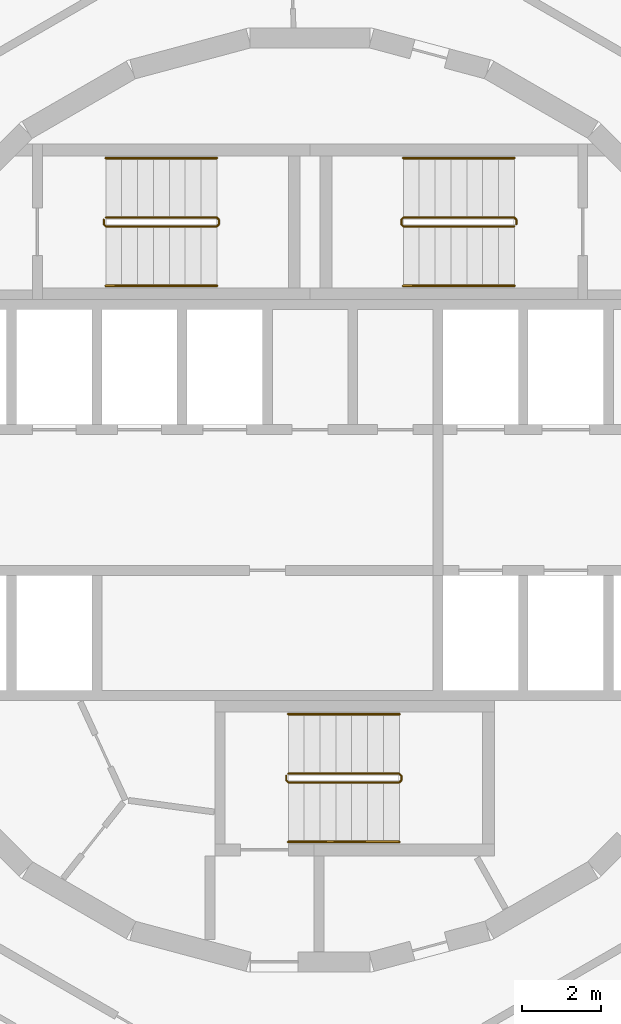
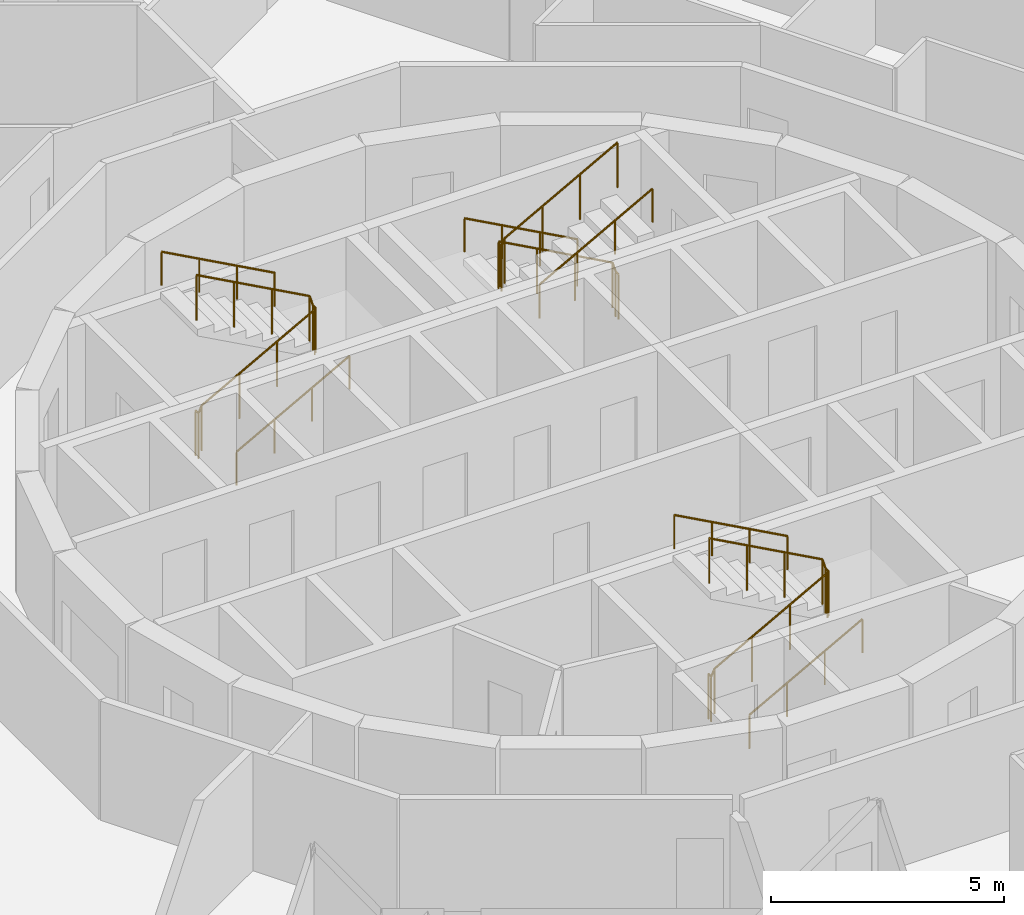
# One storey, part 21 of 21: 9 railings.
"""IFC4 building model written with IfcOpenShell, lengths in metres."""

from ifc_helpers import new_model, si_unit, direction, frame, origin, origin_2d, place, context, subcontext, project, spatial, circle, extrude, material, type_object, element, save


model = new_model("IFC4")

# Units and contexts
model_context = context("Model", 3, precision=1e-05, world=origin(), true_north=direction((0.0, 1.0)))
body_context = subcontext(model_context, "Body", "Model", "MODEL_VIEW")
ifc_project = project(units=[si_unit("LENGTHUNIT", "METRE"), si_unit("AREAUNIT", "SQUARE_METRE"), si_unit("VOLUMEUNIT", "CUBIC_METRE"), si_unit("PLANEANGLEUNIT", "RADIAN"), si_unit("MASSUNIT", "GRAM", prefix="KILO")], contexts=[model_context])

# Site, building, storey
site_placement = place(None, origin())
site = spatial("IfcSite", under=ifc_project, at=site_placement, CompositionType="ELEMENT")
building_placement = place(site_placement, origin())
building = spatial("IfcBuilding", under=site, at=building_placement, Name="Spindle Arch Residences", CompositionType="ELEMENT")
storey_placement = place(building_placement, frame((0.0, 0.0, 38.39990234375)))
storey = spatial("IfcBuildingStorey", under=building, at=storey_placement, Name="L07", CompositionType="ELEMENT", Elevation=38.39990234375)

# Railings
ifc_material_1 = material(Name="Steel, painted", Category="steel")
railing_type_1 = type_object("IfcRailingType", Name="Stair guard 1100", PredefinedType="GUARDRAIL", material=ifc_material_1)
railing_1_placement = place(storey_placement, frame((5.14990234375, 6.89990234375, 3.5)))
element("IfcRailing", 1, at=railing_1_placement, inside=storey, type_object=railing_type_1, Name="L07 ST1 stair guard 1", PredefinedType="GUARDRAIL", context=body_context, shape_type="SweptSolid", body=[
    extrude(circle(Radius=0.02392578125, at=origin_2d()), frame((0.0, 0.0, 1.17578125), z_axis=(-0.877357048833, 0.0, -0.479838106931), x_axis=(0.0, -1.0, 0.0)), (0.0, 0.0, 1.0), 3.191162109375),
    extrude(circle(Radius=0.02392578125, at=origin_2d()), frame((-2.7998046875, 0.0, -0.35546875), z_axis=(-0.217683172539, 0.217683172539, -0.951434744366), x_axis=(-0.707106781187, -0.707106781187, 0.0)), (0.0, 0.0, 1.0), 0.22998046875),
    extrude(circle(Radius=0.02392578125, at=origin_2d()), frame((-2.849853515625, 0.050048828125, -0.57421875), z_axis=(0.0, 1.0, 0.0), x_axis=(-1.0, 0.0, 0.0)), (0.0, 0.0, 1.0), 0.1201171875),
    extrude(circle(Radius=0.02392578125, at=origin_2d()), frame((-2.849853515625, 0.170166015625, -0.57421875), z_axis=(0.707106781187, 0.707106781187, 0.0), x_axis=(-0.707106781187, 0.707106781187, 0.0)), (0.0, 0.0, 1.0), 0.07080078125),
    extrude(circle(Radius=0.02392578125, at=origin_2d()), frame((-2.7998046875, 0.22021484375, -0.57421875), z_axis=(0.877357048833, 0.0, -0.479838106931), x_axis=(0.0, 1.0, 0.0)), (0.0, 0.0, 1.0), 3.191162109375),
    extrude(circle(Radius=0.02392578125, at=origin_2d()), frame((0.0, 0.22021484375, -2.10546875), z_axis=(0.217683172539, -0.217683172539, -0.951434744366), x_axis=(0.707106781187, 0.707106781187, 0.0)), (0.0, 0.0, 1.0), 0.22998046875),
    extrude(circle(Radius=0.02392578125, at=origin_2d()), frame((0.050048828125, 0.170166015625, -2.32421875), z_axis=(0.0, -1.0, 0.0), x_axis=(1.0, 0.0, 0.0)), (0.0, 0.0, 1.0), 0.1201171875),
    extrude(circle(Radius=0.02099609375, at=origin_2d()), origin(), (0.0, 0.0, 1.0), 1.15185546875),
    extrude(circle(Radius=0.02099609375, at=origin_2d()), frame((-0.933349609375, 0.0, -0.510498046875)), (0.0, 0.0, 1.0), 1.15185546875),
    extrude(circle(Radius=0.02099609375, at=origin_2d()), frame((-1.866455078125, 0.0, -1.020751953125)), (0.0, 0.0, 1.0), 1.15185546875),
    extrude(circle(Radius=0.02099609375, at=origin_2d()), frame((-2.7998046875, 0.0, -1.53125)), (0.0, 0.0, 1.0), 1.15185546875),
    extrude(circle(Radius=0.02099609375, at=origin_2d()), frame((-2.849853515625, 0.050048828125, -1.75)), (0.0, 0.0, 1.0), 1.15185546875),
    extrude(circle(Radius=0.02099609375, at=origin_2d()), frame((-2.849853515625, 0.170166015625, -1.75)), (0.0, 0.0, 1.0), 1.15185546875),
    extrude(circle(Radius=0.02099609375, at=origin_2d()), frame((-2.7998046875, 0.22021484375, -1.75)), (0.0, 0.0, 1.0), 1.15185546875),
    extrude(circle(Radius=0.02099609375, at=origin_2d()), frame((-1.866455078125, 0.22021484375, -2.260498046875)), (0.0, 0.0, 1.0), 1.15185546875),
    extrude(circle(Radius=0.02099609375, at=origin_2d()), frame((-0.933349609375, 0.22021484375, -2.770751953125)), (0.0, 0.0, 1.0), 1.15185546875),
    extrude(circle(Radius=0.02099609375, at=origin_2d()), frame((0.0, 0.22021484375, -3.28125)), (0.0, 0.0, 1.0), 1.15185546875),
    extrude(circle(Radius=0.02099609375, at=origin_2d()), frame((0.050048828125, 0.170166015625, -3.5)), (0.0, 0.0, 1.0), 1.15185546875),
    extrude(circle(Radius=0.02099609375, at=origin_2d()), frame((0.050048828125, 0.050048828125, -3.5)), (0.0, 0.0, 1.0), 1.15185546875),
])
railing_2_placement = place(storey_placement, frame((-5.14990234375, 7.1201171875, 3.5)))
element("IfcRailing", 2, at=railing_2_placement, inside=storey, type_object=railing_type_1, Name="L07 ST2 stair guard 1", PredefinedType="GUARDRAIL", context=body_context, shape_type="SweptSolid", body=[
    extrude(circle(Radius=0.02392578125, at=origin_2d()), frame((0.0, 0.0, 1.17578125), z_axis=(0.877357048833, 0.0, -0.479838106931), x_axis=(0.0, 1.0, 0.0)), (0.0, 0.0, 1.0), 3.191162109375),
    extrude(circle(Radius=0.02392578125, at=origin_2d()), frame((2.7998046875, 0.0, -0.35546875), z_axis=(0.217683172539, -0.217683172539, -0.951434744366), x_axis=(0.707106781187, 0.707106781187, 0.0)), (0.0, 0.0, 1.0), 0.22998046875),
    extrude(circle(Radius=0.02392578125, at=origin_2d()), frame((2.849853515625, -0.050048828125, -0.57421875), z_axis=(0.0, -1.0, 0.0), x_axis=(1.0, 0.0, 0.0)), (0.0, 0.0, 1.0), 0.1201171875),
    extrude(circle(Radius=0.02392578125, at=origin_2d()), frame((2.849853515625, -0.170166015625, -0.57421875), z_axis=(-0.707106781187, -0.707106781187, 0.0), x_axis=(0.707106781187, -0.707106781187, 0.0)), (0.0, 0.0, 1.0), 0.07080078125),
    extrude(circle(Radius=0.02392578125, at=origin_2d()), frame((2.7998046875, -0.22021484375, -0.57421875), z_axis=(-0.877357048833, 0.0, -0.479838106931), x_axis=(0.0, -1.0, 0.0)), (0.0, 0.0, 1.0), 3.191162109375),
    extrude(circle(Radius=0.02392578125, at=origin_2d()), frame((0.0, -0.22021484375, -2.10546875), z_axis=(-0.217683172539, 0.217683172539, -0.951434744366), x_axis=(-0.707106781187, -0.707106781187, 0.0)), (0.0, 0.0, 1.0), 0.22998046875),
    extrude(circle(Radius=0.02392578125, at=origin_2d()), frame((-0.050048828125, -0.170166015625, -2.32421875), z_axis=(0.0, 1.0, 0.0), x_axis=(-1.0, 0.0, 0.0)), (0.0, 0.0, 1.0), 0.1201171875),
    extrude(circle(Radius=0.02099609375, at=origin_2d()), origin(), (0.0, 0.0, 1.0), 1.15185546875),
    extrude(circle(Radius=0.02099609375, at=origin_2d()), frame((0.933349609375, 0.0, -0.510498046875)), (0.0, 0.0, 1.0), 1.15185546875),
    extrude(circle(Radius=0.02099609375, at=origin_2d()), frame((1.866455078125, 0.0, -1.020751953125)), (0.0, 0.0, 1.0), 1.15185546875),
    extrude(circle(Radius=0.02099609375, at=origin_2d()), frame((2.7998046875, 0.0, -1.53125)), (0.0, 0.0, 1.0), 1.15185546875),
    extrude(circle(Radius=0.02099609375, at=origin_2d()), frame((2.849853515625, -0.050048828125, -1.75)), (0.0, 0.0, 1.0), 1.15185546875),
    extrude(circle(Radius=0.02099609375, at=origin_2d()), frame((2.849853515625, -0.170166015625, -1.75)), (0.0, 0.0, 1.0), 1.15185546875),
    extrude(circle(Radius=0.02099609375, at=origin_2d()), frame((2.7998046875, -0.22021484375, -1.75)), (0.0, 0.0, 1.0), 1.15185546875),
    extrude(circle(Radius=0.02099609375, at=origin_2d()), frame((1.866455078125, -0.22021484375, -2.260498046875)), (0.0, 0.0, 1.0), 1.15185546875),
    extrude(circle(Radius=0.02099609375, at=origin_2d()), frame((0.933349609375, -0.22021484375, -2.770751953125)), (0.0, 0.0, 1.0), 1.15185546875),
    extrude(circle(Radius=0.02099609375, at=origin_2d()), frame((0.0, -0.22021484375, -3.28125)), (0.0, 0.0, 1.0), 1.15185546875),
    extrude(circle(Radius=0.02099609375, at=origin_2d()), frame((-0.050048828125, -0.170166015625, -3.5)), (0.0, 0.0, 1.0), 1.15185546875),
    extrude(circle(Radius=0.02099609375, at=origin_2d()), frame((-0.050048828125, -0.050048828125, -3.5)), (0.0, 0.0, 1.0), 1.15185546875),
])
railing_3_placement = place(storey_placement, frame((-0.550048828125, -6.89990234375, 3.5)))
element("IfcRailing", 3, at=railing_3_placement, inside=storey, type_object=railing_type_1, Name="L07 ST3 stair guard 1", PredefinedType="GUARDRAIL", context=body_context, shape_type="SweptSolid", body=[
    extrude(circle(Radius=0.02392578125, at=origin_2d()), frame((0.0, 0.0, 1.17578125), z_axis=(0.877374661878, 0.0, -0.479805901063), x_axis=(0.0, 1.0, 0.0)), (0.0, 0.0, 1.0), 3.19140625),
    extrude(circle(Radius=0.02392578125, at=origin_2d()), frame((2.800048828125, 0.0, -0.35546875), z_axis=(0.217683172539, -0.217683172539, -0.951434744366), x_axis=(0.707106781187, 0.707106781187, 0.0)), (0.0, 0.0, 1.0), 0.22998046875),
    extrude(circle(Radius=0.02392578125, at=origin_2d()), frame((2.85009765625, -0.050048828125, -0.57421875), z_axis=(0.0, -1.0, 0.0), x_axis=(1.0, 0.0, 0.0)), (0.0, 0.0, 1.0), 0.1201171875),
    extrude(circle(Radius=0.02392578125, at=origin_2d()), frame((2.85009765625, -0.170166015625, -0.57421875), z_axis=(-0.707106781187, -0.707106781187, 0.0), x_axis=(0.707106781187, -0.707106781187, 0.0)), (0.0, 0.0, 1.0), 0.07080078125),
    extrude(circle(Radius=0.02392578125, at=origin_2d()), frame((2.800048828125, -0.22021484375, -0.57421875), z_axis=(-0.877374661878, 0.0, -0.479805901063), x_axis=(0.0, -1.0, 0.0)), (0.0, 0.0, 1.0), 3.19140625),
    extrude(circle(Radius=0.02392578125, at=origin_2d()), frame((0.0, -0.22021484375, -2.10546875), z_axis=(-0.217683172539, 0.217683172539, -0.951434744366), x_axis=(-0.707106781187, -0.707106781187, 0.0)), (0.0, 0.0, 1.0), 0.22998046875),
    extrude(circle(Radius=0.02392578125, at=origin_2d()), frame((-0.050048828125, -0.170166015625, -2.32421875), z_axis=(0.0, 1.0, 0.0), x_axis=(-1.0, 0.0, 0.0)), (0.0, 0.0, 1.0), 0.1201171875),
    extrude(circle(Radius=0.02099609375, at=origin_2d()), origin(), (0.0, 0.0, 1.0), 1.15185546875),
    extrude(circle(Radius=0.02099609375, at=origin_2d()), frame((0.933349609375, 0.0, -0.510498046875)), (0.0, 0.0, 1.0), 1.15185546875),
    extrude(circle(Radius=0.02099609375, at=origin_2d()), frame((1.86669921875, 0.0, -1.020751953125)), (0.0, 0.0, 1.0), 1.15185546875),
    extrude(circle(Radius=0.02099609375, at=origin_2d()), frame((2.800048828125, 0.0, -1.53125)), (0.0, 0.0, 1.0), 1.15185546875),
    extrude(circle(Radius=0.02099609375, at=origin_2d()), frame((2.85009765625, -0.050048828125, -1.75)), (0.0, 0.0, 1.0), 1.15185546875),
    extrude(circle(Radius=0.02099609375, at=origin_2d()), frame((2.85009765625, -0.170166015625, -1.75)), (0.0, 0.0, 1.0), 1.15185546875),
    extrude(circle(Radius=0.02099609375, at=origin_2d()), frame((2.800048828125, -0.22021484375, -1.75)), (0.0, 0.0, 1.0), 1.15185546875),
    extrude(circle(Radius=0.02099609375, at=origin_2d()), frame((1.86669921875, -0.22021484375, -2.260498046875)), (0.0, 0.0, 1.0), 1.15185546875),
    extrude(circle(Radius=0.02099609375, at=origin_2d()), frame((0.933349609375, -0.22021484375, -2.770751953125)), (0.0, 0.0, 1.0), 1.15185546875),
    extrude(circle(Radius=0.02099609375, at=origin_2d()), frame((0.0, -0.22021484375, -3.28125)), (0.0, 0.0, 1.0), 1.15185546875),
    extrude(circle(Radius=0.02099609375, at=origin_2d()), frame((-0.050048828125, -0.170166015625, -3.5)), (0.0, 0.0, 1.0), 1.15185546875),
    extrude(circle(Radius=0.02099609375, at=origin_2d()), frame((-0.050048828125, -0.050048828125, -3.5)), (0.0, 0.0, 1.0), 1.15185546875),
])
ifc_material_2 = material(Name="Steel, painted", Category="steel")
railing_type_2 = type_object("IfcRailingType", Name="Stair handrail 900", PredefinedType="HANDRAIL", material=ifc_material_2)
railing_4_placement = place(storey_placement, frame((5.14990234375, 8.6201171875, 0.21875)))
element("IfcRailing", 4, at=railing_4_placement, inside=storey, type_object=railing_type_2, Name="L07 ST1 stair handrail 1", PredefinedType="HANDRAIL", context=body_context, shape_type="SweptSolid", body=[
    extrude(circle(Radius=0.02392578125, at=origin_2d()), frame((0.0, 0.0, 0.8759765625), z_axis=(-0.877357048833, 0.0, 0.479838106931), x_axis=(0.0, -1.0, 0.0)), (0.0, 0.0, 1.0), 3.191162109375),
    extrude(circle(Radius=0.02099609375, at=origin_2d()), origin(), (0.0, 0.0, 1.0), 0.851806640625),
    extrude(circle(Radius=0.02099609375, at=origin_2d()), frame((-0.933349609375, 0.0, 0.510498046875)), (0.0, 0.0, 1.0), 0.851806640625),
    extrude(circle(Radius=0.02099609375, at=origin_2d()), frame((-1.866455078125, 0.0, 1.020751953125)), (0.0, 0.0, 1.0), 0.851806640625),
    extrude(circle(Radius=0.02099609375, at=origin_2d()), frame((-2.7998046875, 0.0, 1.53125)), (0.0, 0.0, 1.0), 0.851806640625),
])
for number, where, name in (
    (5, (2.35009765625, 5.39990234375, 1.96875), "L07 ST1 stair handrail 2"),
    (6, (-5.14990234375, 5.39990234375, 0.21875), "L07 ST2 stair handrail 1"),
):
    element("IfcRailing", number, at=place(storey_placement, frame(where)), inside=storey, type_object=railing_type_2, Name=name, PredefinedType="HANDRAIL", context=body_context, shape_type="SweptSolid", body=[
        extrude(circle(Radius=0.02392578125, at=origin_2d()), frame((0.0, 0.0, 0.8759765625), z_axis=(0.877357048833, 0.0, 0.479838106931), x_axis=(0.0, 1.0, 0.0)), (0.0, 0.0, 1.0), 3.191162109375),
        extrude(circle(Radius=0.02099609375, at=origin_2d()), origin(), (0.0, 0.0, 1.0), 0.851806640625),
        extrude(circle(Radius=0.02099609375, at=origin_2d()), frame((0.933349609375, 0.0, 0.510498046875)), (0.0, 0.0, 1.0), 0.851806640625),
        extrude(circle(Radius=0.02099609375, at=origin_2d()), frame((1.866455078125, 0.0, 1.020751953125)), (0.0, 0.0, 1.0), 0.851806640625),
        extrude(circle(Radius=0.02099609375, at=origin_2d()), frame((2.7998046875, 0.0, 1.53125)), (0.0, 0.0, 1.0), 0.851806640625),
    ])
railing_5_placement = place(storey_placement, frame((-2.35009765625, 8.6201171875, 1.96875)))
element("IfcRailing", 7, at=railing_5_placement, inside=storey, type_object=railing_type_2, Name="L07 ST2 stair handrail 2", PredefinedType="HANDRAIL", context=body_context, shape_type="SweptSolid", body=[
    extrude(circle(Radius=0.02392578125, at=origin_2d()), frame((0.0, 0.0, 0.8759765625), z_axis=(-0.877357048833, 0.0, 0.479838106931), x_axis=(0.0, -1.0, 0.0)), (0.0, 0.0, 1.0), 3.191162109375),
    extrude(circle(Radius=0.02099609375, at=origin_2d()), origin(), (0.0, 0.0, 1.0), 0.851806640625),
    extrude(circle(Radius=0.02099609375, at=origin_2d()), frame((-0.933349609375, 0.0, 0.510498046875)), (0.0, 0.0, 1.0), 0.851806640625),
    extrude(circle(Radius=0.02099609375, at=origin_2d()), frame((-1.866455078125, 0.0, 1.020751953125)), (0.0, 0.0, 1.0), 0.851806640625),
    extrude(circle(Radius=0.02099609375, at=origin_2d()), frame((-2.7998046875, 0.0, 1.53125)), (0.0, 0.0, 1.0), 0.851806640625),
])
railing_6_placement = place(storey_placement, frame((-0.550048828125, -8.6201171875, 0.21875)))
element("IfcRailing", 8, at=railing_6_placement, inside=storey, type_object=railing_type_2, Name="L07 ST3 stair handrail 1", PredefinedType="HANDRAIL", context=body_context, shape_type="SweptSolid", body=[
    extrude(circle(Radius=0.02392578125, at=origin_2d()), frame((0.0, 0.0, 0.8759765625), z_axis=(0.877374661878, 0.0, 0.479805901063), x_axis=(0.0, 1.0, 0.0)), (0.0, 0.0, 1.0), 3.19140625),
    extrude(circle(Radius=0.02099609375, at=origin_2d()), origin(), (0.0, 0.0, 1.0), 0.851806640625),
    extrude(circle(Radius=0.02099609375, at=origin_2d()), frame((0.933349609375, 0.0, 0.510498046875)), (0.0, 0.0, 1.0), 0.851806640625),
    extrude(circle(Radius=0.02099609375, at=origin_2d()), frame((1.86669921875, 0.0, 1.020751953125)), (0.0, 0.0, 1.0), 0.851806640625),
    extrude(circle(Radius=0.02099609375, at=origin_2d()), frame((2.800048828125, 0.0, 1.53125)), (0.0, 0.0, 1.0), 0.851806640625),
])
railing_7_placement = place(storey_placement, frame((2.25, -5.39990234375, 1.96875)))
element("IfcRailing", 9, at=railing_7_placement, inside=storey, type_object=railing_type_2, Name="L07 ST3 stair handrail 2", PredefinedType="HANDRAIL", context=body_context, shape_type="SweptSolid", body=[
    extrude(circle(Radius=0.02392578125, at=origin_2d()), frame((0.0, 0.0, 0.8759765625), z_axis=(-0.877374661878, 0.0, 0.479805901063), x_axis=(0.0, -1.0, 0.0)), (0.0, 0.0, 1.0), 3.19140625),
    extrude(circle(Radius=0.02099609375, at=origin_2d()), origin(), (0.0, 0.0, 1.0), 0.851806640625),
    extrude(circle(Radius=0.02099609375, at=origin_2d()), frame((-0.933349609375, 0.0, 0.510498046875)), (0.0, 0.0, 1.0), 0.851806640625),
    extrude(circle(Radius=0.02099609375, at=origin_2d()), frame((-1.86669921875, 0.0, 1.020751953125)), (0.0, 0.0, 1.0), 0.851806640625),
    extrude(circle(Radius=0.02099609375, at=origin_2d()), frame((-2.800048828125, 0.0, 1.53125)), (0.0, 0.0, 1.0), 0.851806640625),
])

save(model, "model.ifc")
